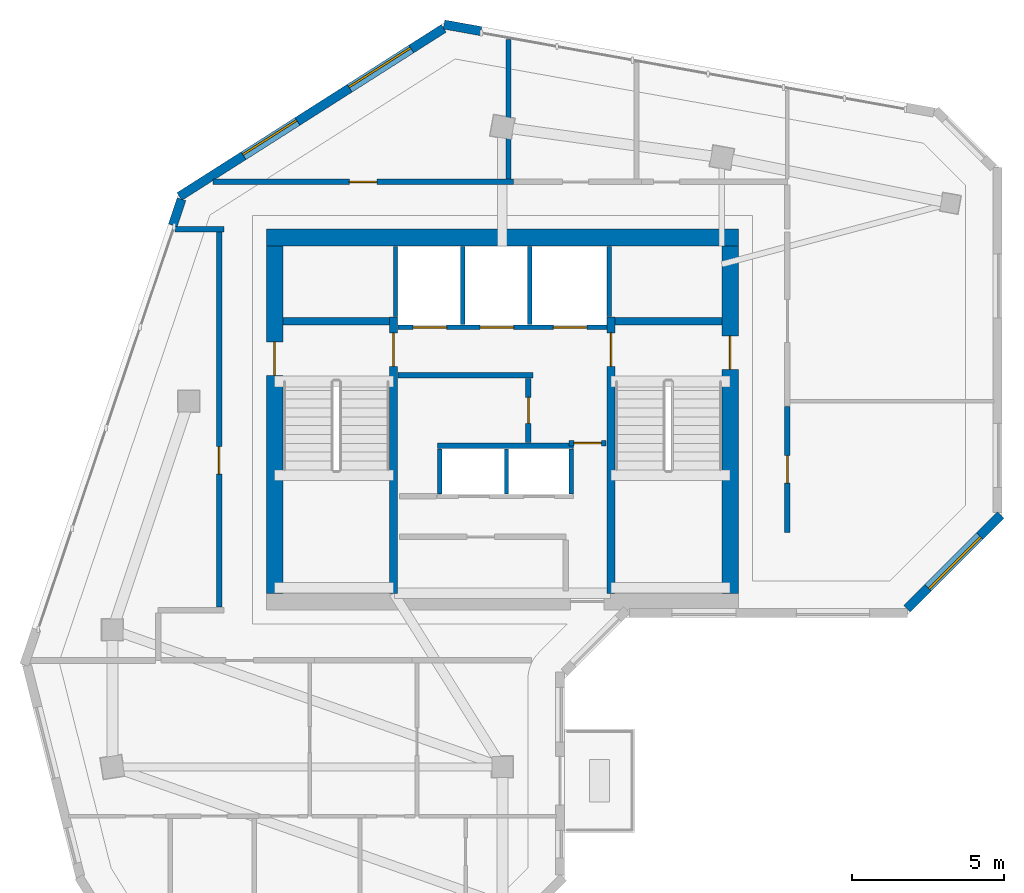
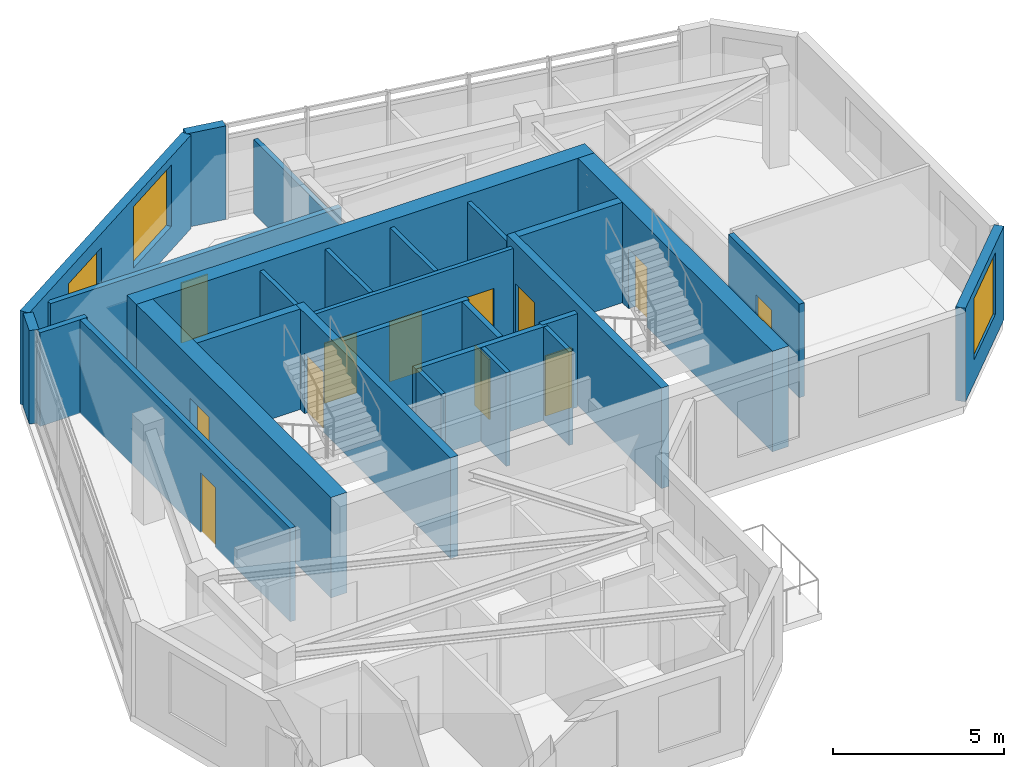
# One storey, part 4 of 7: 28 walls, 12 doors, 3 windows, 15 openings.
"""IFC4 building model written with IfcOpenShell, lengths in metres."""

from ifc_helpers import new_model, si_unit, direction, frame, frame_2d, origin, place, context, subcontext, project, spatial, rectangle, extrude, source, transform, mapped, material, layer, layer_set, type_object, element, fill, save


model = new_model("IFC4")

# Units and contexts
model_context = context("Model", 3, precision=1e-05, world=origin(), true_north=direction((0.0, 1.0)))
body_context = subcontext(model_context, "Body", "Model", "MODEL_VIEW")
ifc_project = project(units=[si_unit("LENGTHUNIT", "METRE"), si_unit("AREAUNIT", "SQUARE_METRE"), si_unit("VOLUMEUNIT", "CUBIC_METRE"), si_unit("PLANEANGLEUNIT", "RADIAN"), si_unit("MASSUNIT", "GRAM", prefix="KILO")], contexts=[model_context])

# Site, building, storey
site_placement = place(None, origin())
site = spatial("IfcSite", under=ifc_project, at=site_placement, CompositionType="ELEMENT")
building_placement = place(site_placement, origin())
building = spatial("IfcBuilding", under=site, at=building_placement, Name="Calvemar Wedge Station Tower", CompositionType="ELEMENT")
storey_placement = place(building_placement, frame((0.0, 0.0, 285.300048828125)))
storey = spatial("IfcBuildingStorey", under=building, at=storey_placement, Name="L73", CompositionType="ELEMENT", Elevation=285.300048828125)

# Wall, opening, door
ifc_material_1 = material(Name="Concrete C50", Category="concrete")
ifc_layer_1 = layer(ifc_material_1, 0.260009765625)
ifc_layer_set_1 = layer_set([ifc_layer_1], Name="Concrete C50")
wall_type_1 = type_object("IfcWallType", Name="SW-CORE-260", PredefinedType="SHEAR", material=ifc_layer_set_1)
wall_1_placement = place(storey_placement, frame((20.22998046875, 34.199951171875, 0.0), z_axis=(0.0, 0.0, 1.0), x_axis=(0.0, 1.0, 0.0)))
wall_1 = element("IfcWall", 1, at=wall_1_placement, inside=storey, type_object=wall_type_1, Name="Storey L73 Core Shear Wall SPINE-W", PredefinedType="SHEAR", context=body_context, shape_type="SweptSolid", body=[
    extrude(rectangle(XDim=9.06005859375, YDim=0.260009765625, at=frame_2d((4.530029296875, 0.0))), origin(), (0.0, 0.0, 1.0), 3.599853515625),
])
shared_shape_1 = source(origin(), body_context, "Body", "SweptSolid", [
    extrude(rectangle(XDim=1.10009765625, YDim=2.14990234375, at=frame_2d((0.550048828125, 1.074951171875))), frame((0.0, 0.14013671875, 0.0), z_axis=(0.0, -1.0, 0.0), x_axis=(1.0, 0.0, 0.0)), (0.0, 0.0, 1.0), 0.280029296875),
])
opening_1_placement = place(wall_1_placement, frame((7.449951171875, 0.0, 0.0)))
opening_1 = element("IfcOpeningElement", 2, at=opening_1_placement, cuts=wall_1, Name="Opening FD-90", PredefinedType="OPENING", context=body_context, shape_type="MappedRepresentation", body=[
    mapped(shared_shape_1, transform((0.0, 0.0, 0.0), scale=1.0)),
])
ifc_material_2 = material(Name="Galvanized fire-rated steel door leaf P-90", Category="steel")
door_type_1 = type_object("IfcDoorType", Name="DR-FD90-1100", OperationType="NOTDEFINED", PredefinedType="DOOR", material=ifc_material_2)
shared_shape_2 = source(origin(), body_context, "Body", "SweptSolid", [
    extrude(rectangle(XDim=1.10009765625, YDim=2.14990234375, at=frame_2d((0.550048828125, 1.074951171875))), frame((0.0, 0.02490234375, 0.0), z_axis=(0.0, -1.0, 0.0), x_axis=(1.0, 0.0, 0.0)), (0.0, 0.0, 1.0), 0.050048828125),
])
door_1_placement = place(opening_1_placement, origin())
door_1 = element("IfcDoor", 3, at=door_1_placement, inside=storey, type_object=door_type_1, Name="L73 FF Lobby to Stair ST-C1 Door", OperationType="SINGLE_SWING_RIGHT", OverallHeight=2.14990234375, OverallWidth=1.10009765625, PredefinedType="DOOR", context=body_context, shape_type="MappedRepresentation", body=[
    mapped(shared_shape_2, transform((0.0, 0.0, 0.0), scale=1.0)),
])
fill(opening_1, door_1)

wall_2_placement = place(storey_placement, frame((27.3701171875, 34.199951171875, 0.0), z_axis=(0.0, 0.0, 1.0), x_axis=(0.0, 1.0, 0.0)))
wall_2 = element("IfcWall", 4, at=wall_2_placement, inside=storey, type_object=wall_type_1, Name="Storey L73 Core Shear Wall SPINE-E", PredefinedType="SHEAR", context=body_context, shape_type="SweptSolid", body=[
    extrude(rectangle(XDim=9.06005859375, YDim=0.260009765625, at=frame_2d((4.530029296875, 0.0))), origin(), (0.0, 0.0, 1.0), 3.599853515625),
])
opening_2_placement = place(wall_2_placement, frame((7.449951171875, 0.0, 0.0)))
opening_2 = element("IfcOpeningElement", 5, at=opening_2_placement, cuts=wall_2, Name="Opening FD-90", PredefinedType="OPENING", context=body_context, shape_type="MappedRepresentation", body=[
    mapped(shared_shape_1, transform((0.0, 0.0, 0.0), scale=1.0)),
])
door_2_placement = place(opening_2_placement, origin())
door_2 = element("IfcDoor", 6, at=door_2_placement, inside=storey, type_object=door_type_1, Name="L73 FF Lobby to Stair ST-C2 Door", OperationType="SINGLE_SWING_LEFT", OverallHeight=2.14990234375, OverallWidth=1.10009765625, PredefinedType="DOOR", context=body_context, shape_type="MappedRepresentation", body=[
    mapped(shared_shape_2, transform((0.0, 0.0, 0.0), scale=1.0)),
])
fill(opening_2, door_2)

# Walls
for number, where, z_axis, x_axis, name in (
    (7, (16.60009765625, 43.1298828125, 0.0), (0.0, 0.0, 1.0), (1.0, 0.0, 0.0), "Storey L73 Core Shear Wall STC1-N"),
    (8, (27.5, 43.1298828125, 0.0), (0.0, 0.0, 1.0), (1.0, 0.0, 0.0), "Storey L73 Core Shear Wall STC2-N"),
):
    element("IfcWall", number, at=place(storey_placement, frame(where, z_axis=z_axis, x_axis=x_axis)), inside=storey, type_object=wall_type_1, Name=name, PredefinedType="SHEAR", context=body_context, shape_type="SweptSolid", body=[
        extrude(rectangle(XDim=3.5, YDim=0.260009765625, at=frame_2d((1.75, 0.0))), origin(), (0.0, 0.0, 1.0), 3.599853515625),
    ])
ifc_material_3 = material(Name="Concrete C60", Category="concrete")
ifc_layer_2 = layer(ifc_material_3, 0.550048828125)
ifc_layer_set_2 = layer_set([ifc_layer_2], Name="Concrete C60")
wall_type_2 = type_object("IfcWallType", Name="SW-CORE-550", PredefinedType="SHEAR", material=ifc_layer_set_2)
wall_3_placement = place(storey_placement, frame((16.050048828125, 45.875, 0.0), z_axis=(0.0, 0.0, 1.0), x_axis=(1.0, 0.0, 0.0)))
element("IfcWall", 9, at=wall_3_placement, inside=storey, type_object=wall_type_2, Name="Storey L73 Core Shear Wall N", PredefinedType="SHEAR", context=body_context, shape_type="SweptSolid", body=[
    extrude(rectangle(XDim=15.5, YDim=0.550048828125, at=frame_2d((7.75, 0.0))), origin(), (0.0, 0.0, 1.0), 3.599853515625),
])

# Wall, opening, door
wall_4_placement = place(storey_placement, frame((16.324951171875, 34.199951171875, 0.0), z_axis=(0.0, 0.0, 1.0), x_axis=(0.0, 1.0, 0.0)))
wall_4 = element("IfcWall", 10, at=wall_4_placement, inside=storey, type_object=wall_type_2, Name="Storey L73 Core Shear Wall W", PredefinedType="SHEAR", context=body_context, shape_type="SweptSolid", body=[
    extrude(rectangle(XDim=11.400146484375, YDim=0.550048828125, at=frame_2d((5.7001953125, 0.0))), origin(), (0.0, 0.0, 1.0), 3.599853515625),
])
shared_shape_3 = source(origin(), body_context, "Body", "SweptSolid", [
    extrude(rectangle(XDim=1.10009765625, YDim=2.14990234375, at=frame_2d((0.550048828125, 1.074951171875))), frame((0.0, 0.28515625, 0.0), z_axis=(0.0, -1.0, 0.0), x_axis=(1.0, 0.0, 0.0)), (0.0, 0.0, 1.0), 0.570068359375),
])
opening_3_placement = place(wall_4_placement, frame((7.14990234375, 0.0, 0.0)))
opening_3 = element("IfcOpeningElement", 11, at=opening_3_placement, cuts=wall_4, Name="Opening FD-90", PredefinedType="OPENING", context=body_context, shape_type="MappedRepresentation", body=[
    mapped(shared_shape_3, transform((0.0, 0.0, 0.0), scale=1.0)),
])
door_3_placement = place(opening_3_placement, origin())
door_3 = element("IfcDoor", 12, at=door_3_placement, inside=storey, type_object=door_type_1, Name="L73 West Corridor to Exit Stair ST-C1 Door", OperationType="SINGLE_SWING_RIGHT", OverallHeight=2.14990234375, OverallWidth=1.10009765625, PredefinedType="DOOR", context=body_context, shape_type="MappedRepresentation", body=[
    mapped(shared_shape_2, transform((0.0, 0.0, 0.0), scale=1.0)),
])
fill(opening_3, door_3)

wall_5_placement = place(storey_placement, frame((31.27490234375, 34.199951171875, 0.0), z_axis=(0.0, 0.0, 1.0), x_axis=(0.0, 1.0, 0.0)))
wall_5 = element("IfcWall", 13, at=wall_5_placement, inside=storey, type_object=wall_type_2, Name="Storey L73 Core Shear Wall E", PredefinedType="SHEAR", context=body_context, shape_type="SweptSolid", body=[
    extrude(rectangle(XDim=11.400146484375, YDim=0.550048828125, at=frame_2d((5.7001953125, 0.0))), origin(), (0.0, 0.0, 1.0), 3.599853515625),
])
opening_4_placement = place(wall_5_placement, frame((7.35009765625, 0.0, 0.0)))
opening_4 = element("IfcOpeningElement", 14, at=opening_4_placement, cuts=wall_5, Name="Opening FD-90", PredefinedType="OPENING", context=body_context, shape_type="MappedRepresentation", body=[
    mapped(shared_shape_3, transform((0.0, 0.0, 0.0), scale=1.0)),
])
door_4_placement = place(opening_4_placement, origin())
door_4 = element("IfcDoor", 15, at=door_4_placement, inside=storey, type_object=door_type_1, Name="L73 East Corridor to Exit Stair ST-C2 Door", OperationType="SINGLE_SWING_LEFT", OverallHeight=2.14990234375, OverallWidth=1.10009765625, PredefinedType="DOOR", context=body_context, shape_type="MappedRepresentation", body=[
    mapped(shared_shape_2, transform((0.0, 0.0, 0.0), scale=1.0)),
])
fill(opening_4, door_4)

# Wall
ifc_material_4 = material(Name="Double-stud fire-rated corridor partition")
ifc_layer_3 = layer(ifc_material_4, 0.179931640625)
ifc_layer_set_3 = layer_set([ifc_layer_3], Name="Double-stud fire-rated corridor partition")
wall_type_3 = type_object("IfcWallType", Name="W-CORR-180", PredefinedType="PARTITIONING", material=ifc_layer_set_3)
wall_6_placement = place(storey_placement, frame((24.81005859375, 41.35009765625, 0.0), z_axis=(0.0, 0.0, 1.0), x_axis=(-1.0, 0.0, 0.0)))
element("IfcWall", 16, at=wall_6_placement, inside=storey, type_object=wall_type_3, Name="Storey L73 Interior Partition WL-L73-001", PredefinedType="PARTITIONING", context=body_context, shape_type="SweptSolid", body=[
    extrude(rectangle(XDim=4.43017578125, YDim=0.179931640625, at=frame_2d((2.215087890625, 0.0))), origin(), (0.0, 0.0, 1.0), 3.349853515625),
])

# Wall, opening, door
wall_7_placement = place(storey_placement, frame((24.64990234375, 41.256103515625, 0.0), z_axis=(0.0, 0.0, 1.0), x_axis=(0.0, -1.0, 0.0)))
wall_7 = element("IfcWall", 17, at=wall_7_placement, inside=storey, type_object=wall_type_3, Name="Storey L73 Interior Partition WL-L73-002", PredefinedType="PARTITIONING", context=body_context, shape_type="SweptSolid", body=[
    extrude(rectangle(XDim=2.106201171875, YDim=0.179931640625, at=frame_2d((1.05322265625, 0.0))), origin(), (0.0, 0.0, 1.0), 3.349853515625),
])
shared_shape_4 = source(origin(), body_context, "Body", "SweptSolid", [
    extrude(rectangle(XDim=0.85009765625, YDim=2.14990234375, at=frame_2d((0.425048828125, 1.074951171875))), frame((0.0, 0.10009765625, 0.0), z_axis=(0.0, -1.0, 0.0), x_axis=(1.0, 0.0, 0.0)), (0.0, 0.0, 1.0), 0.199951171875),
])
opening_5_placement = place(wall_7_placement, frame((0.6279296875, 0.0, 0.0)))
opening_5 = element("IfcOpeningElement", 18, at=opening_5_placement, cuts=wall_7, Name="Opening FD-60S", PredefinedType="OPENING", context=body_context, shape_type="MappedRepresentation", body=[
    mapped(shared_shape_4, transform((0.0, 0.0, 0.0), scale=1.0)),
])
ifc_material_5 = material(Name="Fire-rated steel and hardwood service door EI 60", Category="steel")
door_type_2 = type_object("IfcDoorType", Name="DR-CORE-FD60-850", OperationType="NOTDEFINED", PredefinedType="DOOR", material=ifc_material_5)
shared_shape_5 = source(origin(), body_context, "Body", "SweptSolid", [
    extrude(rectangle(XDim=0.85009765625, YDim=2.14990234375, at=frame_2d((0.425048828125, 1.074951171875))), frame((0.0, 0.02490234375, 0.0), z_axis=(0.0, -1.0, 0.0), x_axis=(1.0, 0.0, 0.0)), (0.0, 0.0, 1.0), 0.050048828125),
])
door_5_placement = place(opening_5_placement, origin())
door_5 = element("IfcDoor", 19, at=door_5_placement, inside=storey, type_object=door_type_2, Name="L73 Cleaner and Linen Store Door", OperationType="SINGLE_SWING_LEFT", OverallHeight=2.14990234375, OverallWidth=0.85009765625, PredefinedType="DOOR", context=body_context, shape_type="MappedRepresentation", body=[
    mapped(shared_shape_5, transform((0.0, 0.0, 0.0), scale=1.0)),
])
fill(opening_5, door_5)

wall_8_placement = place(storey_placement, frame((27.199951171875, 39.1298828125, 0.0), z_axis=(0.0, 0.0, 1.0), x_axis=(-1.0, 0.0, 0.0)))
wall_8 = element("IfcWall", 20, at=wall_8_placement, inside=storey, type_object=wall_type_3, Name="Storey L73 Interior Partition WL-L73-004", PredefinedType="PARTITIONING", context=body_context, shape_type="SweptSolid", body=[
    extrude(rectangle(XDim=1.2099609375, YDim=0.179931640625, at=frame_2d((0.60498046875, 0.0))), origin(), (0.0, 0.0, 1.0), 3.349853515625),
])
shared_shape_6 = source(origin(), body_context, "Body", "SweptSolid", [
    extrude(rectangle(XDim=0.89990234375, YDim=2.14990234375, at=frame_2d((0.449951171875, 1.074951171875))), frame((0.0, 0.10009765625, 0.0), z_axis=(0.0, -1.0, 0.0), x_axis=(1.0, 0.0, 0.0)), (0.0, 0.0, 1.0), 0.199951171875),
])
opening_6_placement = place(wall_8_placement, frame((0.155029296875, 0.0, 0.0)))
opening_6 = element("IfcOpeningElement", 21, at=opening_6_placement, cuts=wall_8, Name="Opening FD-60", PredefinedType="OPENING", context=body_context, shape_type="MappedRepresentation", body=[
    mapped(shared_shape_6, transform((0.0, 0.0, 0.0), scale=1.0)),
])
ifc_material_6 = material(Name="Fire-rated acoustic timber-core entrance door EI 60", Category="wood")
door_type_3 = type_object("IfcDoorType", Name="DR-FD60-900", OperationType="NOTDEFINED", PredefinedType="DOOR", material=ifc_material_6)
shared_shape_7 = source(origin(), body_context, "Body", "SweptSolid", [
    extrude(rectangle(XDim=0.89990234375, YDim=2.14990234375, at=frame_2d((0.449951171875, 1.074951171875))), frame((0.0, 0.02490234375, 0.0), z_axis=(0.0, -1.0, 0.0), x_axis=(1.0, 0.0, 0.0)), (0.0, 0.0, 1.0), 0.050048828125),
])
door_6_placement = place(opening_6_placement, origin())
door_6 = element("IfcDoor", 22, at=door_6_placement, inside=storey, type_object=door_type_3, Name="L73 Core Service Lobby Door", OperationType="SINGLE_SWING_RIGHT", OverallHeight=2.14990234375, OverallWidth=0.89990234375, PredefinedType="DOOR", context=body_context, shape_type="MappedRepresentation", body=[
    mapped(shared_shape_7, transform((0.0, 0.0, 0.0), scale=1.0)),
])
fill(opening_6, door_6)

wall_9_placement = place(storey_placement, frame((14.5, 33.743896484375, 0.0), z_axis=(0.0, 0.0, 1.0), x_axis=(0.0, 1.0, 0.0)))
wall_9 = element("IfcWall", 23, at=wall_9_placement, inside=storey, type_object=wall_type_3, Name="Storey L73 Interior Partition WL-L73-012", PredefinedType="PARTITIONING", context=body_context, shape_type="SweptSolid", body=[
    extrude(rectangle(XDim=12.406005859375, YDim=0.179931640625, at=frame_2d((6.203125, 0.0))), origin(), (0.0, 0.0, 1.0), 3.349853515625),
])
opening_7_placement = place(wall_9_placement, frame((4.36962890625, 0.0, 0.0)))
opening_7 = element("IfcOpeningElement", 24, at=opening_7_placement, cuts=wall_9, Name="Opening D-01", PredefinedType="OPENING", context=body_context, shape_type="MappedRepresentation", body=[
    mapped(shared_shape_6, transform((0.0, 0.0, 0.0), scale=1.0)),
])
ifc_material_7 = material(Name="Architectural hardwood acoustic swing door", Category="wood")
door_type_4 = type_object("IfcDoorType", Name="DR-INT-900", OperationType="NOTDEFINED", PredefinedType="DOOR", material=ifc_material_7)
shared_shape_8 = source(origin(), body_context, "Body", "SweptSolid", [
    extrude(rectangle(XDim=0.89990234375, YDim=2.14990234375, at=frame_2d((0.449951171875, 1.074951171875))), frame((0.0, 0.02490234375, 0.0), z_axis=(0.0, -1.0, 0.0), x_axis=(1.0, 0.0, 0.0)), (0.0, 0.0, 1.0), 0.050048828125),
])
door_7_placement = place(opening_7_placement, origin())
door_7 = element("IfcDoor", 25, at=door_7_placement, inside=storey, type_object=door_type_4, Name="L73 Resident Reading Lounge Door", OperationType="SINGLE_SWING_RIGHT", OverallHeight=2.14990234375, OverallWidth=0.89990234375, PredefinedType="DOOR", context=body_context, shape_type="MappedRepresentation", body=[
    mapped(shared_shape_8, transform((0.0, 0.0, 0.0), scale=1.0)),
])
fill(opening_7, door_7)

# Wall
wall_10_placement = place(storey_placement, frame((14.659912109375, 46.14990234375, 0.0), z_axis=(0.0, 0.0, 1.0), x_axis=(-1.0, 0.0, 0.0)))
element("IfcWall", 26, at=wall_10_placement, inside=storey, type_object=wall_type_3, Name="Storey L73 Interior Partition WL-L73-013", PredefinedType="PARTITIONING", context=body_context, shape_type="SweptSolid", body=[
    extrude(rectangle(XDim=1.602294921875, YDim=0.179931640625, at=frame_2d((0.80126953125, 0.0))), origin(), (0.0, 0.0, 1.0), 3.349853515625),
])

# Wall, opening, door
wall_11_placement = place(storey_placement, frame((14.29541015625, 47.699951171875, 0.0), z_axis=(0.0, 0.0, 1.0), x_axis=(1.0, 0.0, 0.0)))
wall_11 = element("IfcWall", 27, at=wall_11_placement, inside=storey, type_object=wall_type_3, Name="Storey L73 Interior Partition WL-L73-014", PredefinedType="PARTITIONING", context=body_context, shape_type="SweptSolid", body=[
    extrude(rectangle(XDim=9.864501953125, YDim=0.179931640625, at=frame_2d((4.93212890625, 0.0))), origin(), (0.0, 0.0, 1.0), 3.01904296875),
])
opening_8_placement = place(wall_11_placement, frame((4.482421875, 0.0, 0.0)))
opening_8 = element("IfcOpeningElement", 28, at=opening_8_placement, cuts=wall_11, Name="Opening D-01", PredefinedType="OPENING", context=body_context, shape_type="MappedRepresentation", body=[
    mapped(shared_shape_6, transform((0.0, 0.0, 0.0), scale=1.0)),
])
door_8_placement = place(opening_8_placement, origin())
door_8 = element("IfcDoor", 29, at=door_8_placement, inside=storey, type_object=door_type_4, Name="L73 Summit Pantry Door", OperationType="SINGLE_SWING_LEFT", OverallHeight=2.14990234375, OverallWidth=0.89990234375, PredefinedType="DOOR", context=body_context, shape_type="MappedRepresentation", body=[
    mapped(shared_shape_8, transform((0.0, 0.0, 0.0), scale=1.0)),
])
fill(opening_8, door_8)

wall_12_placement = place(storey_placement, frame((33.14990234375, 40.337890625, 0.0), z_axis=(0.0, 0.0, 1.0), x_axis=(0.0, -1.0, 0.0)))
wall_12 = element("IfcWall", 30, at=wall_12_placement, inside=storey, type_object=wall_type_3, Name="Storey L73 Interior Partition WL-L73-019", PredefinedType="PARTITIONING", context=body_context, shape_type="SweptSolid", body=[
    extrude(rectangle(XDim=4.137939453125, YDim=0.179931640625, at=frame_2d((2.06884765625, 0.0))), origin(), (0.0, 0.0, 1.0), 3.349853515625),
])
opening_9_placement = place(wall_12_placement, frame((1.618896484375, 0.0, 0.0)))
opening_9 = element("IfcOpeningElement", 31, at=opening_9_placement, cuts=wall_12, Name="Opening D-01", PredefinedType="OPENING", context=body_context, shape_type="MappedRepresentation", body=[
    mapped(shared_shape_6, transform((0.0, 0.0, 0.0), scale=1.0)),
])
door_9_placement = place(opening_9_placement, origin())
door_9 = element("IfcDoor", 32, at=door_9_placement, inside=storey, type_object=door_type_4, Name="L73 Executive Boardroom Door", OperationType="SINGLE_SWING_LEFT", OverallHeight=2.14990234375, OverallWidth=0.89990234375, PredefinedType="DOOR", context=body_context, shape_type="MappedRepresentation", body=[
    mapped(shared_shape_8, transform((0.0, 0.0, 0.0), scale=1.0)),
])
fill(opening_9, door_9)

# Wall, opening, window
ifc_material_8 = material(Name="Precast concrete C45", Category="concrete")
ifc_layer_4 = layer(ifc_material_8, 0.300048828125)
ifc_layer_set_4 = layer_set([ifc_layer_4], Name="Precast concrete C45")
wall_type_4 = type_object("IfcWallType", Name="W-EXT-GFRC-300", PredefinedType="SOLIDWALL", material=ifc_layer_set_4)
wall_13_placement = place(storey_placement, frame((37.075927734375, 33.68798828125, 0.0), z_axis=(0.0, 0.0, 1.0), x_axis=(0.707078757535, 0.707134803727, 0.0)))
wall_13 = element("IfcWall", 33, at=wall_13_placement, inside=storey, type_object=wall_type_4, Name="Storey L73 Bronze GFRC Exterior Wall 7", PredefinedType="SOLIDWALL", context=body_context, shape_type="SweptSolid", body=[
    extrude(rectangle(XDim=4.35595703125, YDim=0.300048828125, at=frame_2d((2.177978515625, 0.0))), origin(), (0.0, 0.0, 1.0), 3.349853515625),
])
shared_shape_9 = source(origin(), body_context, "Body", "SweptSolid", [
    extrude(rectangle(XDim=2.39990234375, YDim=2.199951171875, at=frame_2d((1.199951171875, 1.10009765625))), frame((0.0, 0.16015625, 0.0), z_axis=(0.0, -1.0, 0.0), x_axis=(1.0, 0.0, 0.0)), (0.0, 0.0, 1.0), 0.320068359375),
])
opening_10_placement = place(wall_13_placement, frame((0.97802734375, 0.0, 0.85009765625)))
opening_10 = element("IfcOpeningElement", 34, at=opening_10_placement, cuts=wall_13, Name="Opening W1", PredefinedType="OPENING", context=body_context, shape_type="MappedRepresentation", body=[
    mapped(shared_shape_9, transform((0.0, 0.0, 0.0), scale=1.0)),
])
ifc_material_9 = material(Name="Low-E laminated insulated glass", Category="glass")
window_type_1 = type_object("IfcWindowType", Name="WIN-EXT-1", PartitioningType="SINGLE_PANEL", PredefinedType="WINDOW", material=ifc_material_9)
shared_shape_10 = source(origin(), body_context, "Body", "SweptSolid", [
    extrude(rectangle(XDim=2.39990234375, YDim=2.199951171875, at=frame_2d((1.199951171875, 1.10009765625))), frame((0.0, -0.014892578125, 0.0), z_axis=(0.0, -1.0, 0.0), x_axis=(1.0, 0.0, 0.0)), (0.0, 0.0, 1.0), 0.06005859375),
])
window_1_placement = place(opening_10_placement, origin())
window_1 = element("IfcWindow", 35, at=window_1_placement, inside=storey, type_object=window_type_1, Name="Storey L73 Recessed Window 7.1", OverallHeight=2.199951171875, OverallWidth=2.39990234375, PartitioningType="SINGLE_PANEL", PredefinedType="WINDOW", context=body_context, shape_type="MappedRepresentation", body=[
    mapped(shared_shape_10, transform((0.0, 0.0, 0.0), scale=1.0)),
])
fill(opening_10, window_1)

# Wall
wall_14_placement = place(storey_placement, frame((23.093994140625, 52.65087890625, 0.0), z_axis=(0.0, 0.0, 1.0), x_axis=(-0.984233125072, 0.176876102146, 0.0)))
element("IfcWall", 36, at=wall_14_placement, inside=storey, type_object=wall_type_4, Name="Storey L73 Bronze GFRC Corner Pier 10B", PredefinedType="SOLIDWALL", context=body_context, shape_type="SweptSolid", body=[
    extrude(rectangle(XDim=1.229736328125, YDim=0.300048828125, at=frame_2d((0.61474609375, 0.0))), origin(), (0.0, 0.0, 1.0), 3.349853515625),
])

# Wall, openings, windows
wall_15_placement = place(storey_placement, frame((21.872802734375, 52.7412109375, 0.0), z_axis=(0.0, 0.0, 1.0), x_axis=(-0.843661487732, -0.536875492193, 0.0)))
wall_15 = element("IfcWall", 37, at=wall_15_placement, inside=storey, type_object=wall_type_4, Name="Storey L73 Bronze GFRC Exterior Wall 11", PredefinedType="SOLIDWALL", context=body_context, shape_type="SweptSolid", body=[
    extrude(rectangle(XDim=10.28173828125, YDim=0.300048828125, at=frame_2d((5.140869140625, 0.0))), origin(), (0.0, 0.0, 1.0), 3.349853515625),
])
opening_11_placement = place(wall_15_placement, frame((1.260009765625, 0.0, 0.85009765625)))
opening_11 = element("IfcOpeningElement", 38, at=opening_11_placement, cuts=wall_15, Name="Opening W1", PredefinedType="OPENING", context=body_context, shape_type="MappedRepresentation", body=[
    mapped(shared_shape_9, transform((0.0, 0.0, 0.0), scale=1.0)),
])
shared_shape_11 = source(origin(), body_context, "Body", "SweptSolid", [
    extrude(rectangle(XDim=2.10009765625, YDim=2.0, at=frame_2d((1.050048828125, 1.0))), frame((0.0, 0.16015625, 0.0), z_axis=(0.0, -1.0, 0.0), x_axis=(1.0, 0.0, 0.0)), (0.0, 0.0, 1.0), 0.320068359375),
])
opening_12_placement = place(wall_15_placement, frame((5.68896484375, 0.0, 0.85009765625)))
opening_12 = element("IfcOpeningElement", 39, at=opening_12_placement, cuts=wall_15, Name="Opening W4", PredefinedType="OPENING", context=body_context, shape_type="MappedRepresentation", body=[
    mapped(shared_shape_11, transform((0.0, 0.0, 0.0), scale=1.0)),
])
window_type_2 = type_object("IfcWindowType", Name="WIN-EXT-4", PartitioningType="SINGLE_PANEL", PredefinedType="WINDOW", material=ifc_material_9)
shared_shape_12 = source(origin(), body_context, "Body", "SweptSolid", [
    extrude(rectangle(XDim=2.10009765625, YDim=2.0, at=frame_2d((1.050048828125, 1.0))), frame((0.0, -0.014892578125, 0.0), z_axis=(0.0, -1.0, 0.0), x_axis=(1.0, 0.0, 0.0)), (0.0, 0.0, 1.0), 0.06005859375),
])
window_2_placement = place(opening_12_placement, origin())
window_2 = element("IfcWindow", 40, at=window_2_placement, inside=storey, type_object=window_type_2, Name="Storey L73 Recessed Window 11.2", OverallHeight=2.0, OverallWidth=2.10009765625, PartitioningType="SINGLE_PANEL", PredefinedType="WINDOW", context=body_context, shape_type="MappedRepresentation", body=[
    mapped(shared_shape_12, transform((0.0, 0.0, 0.0), scale=1.0)),
])
fill(opening_12, window_2)
window_3_placement = place(opening_11_placement, origin())
window_3 = element("IfcWindow", 41, at=window_3_placement, inside=storey, type_object=window_type_1, Name="Storey L73 Recessed Window 11.1", OverallHeight=2.199951171875, OverallWidth=2.39990234375, PartitioningType="SINGLE_PANEL", PredefinedType="WINDOW", context=body_context, shape_type="MappedRepresentation", body=[
    mapped(shared_shape_10, transform((0.0, 0.0, 0.0), scale=1.0)),
])
fill(opening_11, window_3)

# Wall
wall_16_placement = place(storey_placement, frame((13.2685546875, 47.1337890625, 0.0), z_axis=(0.0, 0.0, 1.0), x_axis=(-0.31995770778, -0.947431826166, 0.0)))
element("IfcWall", 42, at=wall_16_placement, inside=storey, type_object=wall_type_4, Name="Storey L73 Bronze GFRC Corner Pier 12A", PredefinedType="SOLIDWALL", context=body_context, shape_type="SweptSolid", body=[
    extrude(rectangle(XDim=0.902587890625, YDim=0.300048828125, at=frame_2d((0.451171875, 0.0))), origin(), (0.0, 0.0, 1.0), 3.349853515625),
])

# Wall, openings, doors
ifc_material_10 = material(Name="Reinforced concrete blockwork lift shaft wall", Category="masonry")
ifc_layer_5 = layer(ifc_material_10, 0.139892578125)
ifc_layer_set_5 = layer_set([ifc_layer_5], Name="Reinforced concrete blockwork lift shaft wall")
wall_type_5 = type_object("IfcWallType", Name="W-LIFT-160", PredefinedType="SOLIDWALL", material=ifc_layer_set_5)
wall_17_placement = place(storey_placement, frame((20.3701171875, 42.929931640625, 0.0), z_axis=(0.0, 0.0, 1.0), x_axis=(1.0, 0.0, 0.0)))
wall_17 = element("IfcWall", 43, at=wall_17_placement, inside=storey, type_object=wall_type_5, Name="Storey L73 Firefighting and Service Lift Shaft Front Wall", PredefinedType="SOLIDWALL", context=body_context, shape_type="SweptSolid", body=[
    extrude(rectangle(XDim=6.85986328125, YDim=0.139892578125, at=frame_2d((3.429931640625, 0.0))), origin(), (0.0, 0.0, 1.0), 3.349853515625),
])
shared_shape_13 = source(origin(), body_context, "Body", "SweptSolid", [
    extrude(rectangle(XDim=1.10009765625, YDim=2.14990234375, at=frame_2d((0.550048828125, 1.074951171875))), frame((0.0, 0.080078125, 0.0), z_axis=(0.0, -1.0, 0.0), x_axis=(1.0, 0.0, 0.0)), (0.0, 0.0, 1.0), 0.159912109375),
])
opening_13_placement = place(wall_17_placement, frame((0.5, 0.0, 0.0)))
opening_13 = element("IfcOpeningElement", 44, at=opening_13_placement, cuts=wall_17, Name="Opening LD-FF", PredefinedType="OPENING", context=body_context, shape_type="MappedRepresentation", body=[
    mapped(shared_shape_13, transform((0.0, 0.0, 0.0), scale=1.0)),
])
opening_14_placement = place(wall_17_placement, frame((2.699951171875, 0.0, 0.0)))
opening_14 = element("IfcOpeningElement", 45, at=opening_14_placement, cuts=wall_17, Name="Opening LD-FF", PredefinedType="OPENING", context=body_context, shape_type="MappedRepresentation", body=[
    mapped(shared_shape_13, transform((0.0, 0.0, 0.0), scale=1.0)),
])
opening_15_placement = place(wall_17_placement, frame((5.10009765625, 0.0, 0.0)))
opening_15 = element("IfcOpeningElement", 46, at=opening_15_placement, cuts=wall_17, Name="Opening LD-STN", PredefinedType="OPENING", context=body_context, shape_type="MappedRepresentation", body=[
    mapped(shared_shape_13, transform((0.0, 0.0, 0.0), scale=1.0)),
])
ifc_material_11 = material(Name="Stainless steel firefighting lift sliding landing door", Category="steel")
door_type_5 = type_object("IfcDoorType", Name="DR-LD-FF-1100", OperationType="SLIDING_TO_LEFT", PredefinedType="DOOR", material=ifc_material_11)
shared_shape_14 = source(origin(), body_context, "Body", "SweptSolid", [
    extrude(rectangle(XDim=1.10009765625, YDim=2.14990234375, at=frame_2d((0.550048828125, 1.074951171875))), frame((0.0, 0.02490234375, 0.0), z_axis=(0.0, -1.0, 0.0), x_axis=(1.0, 0.0, 0.0)), (0.0, 0.0, 1.0), 0.050048828125),
])
door_10_placement = place(opening_13_placement, origin())
door_10 = element("IfcDoor", 47, at=door_10_placement, inside=storey, type_object=door_type_5, Name="L73 Lift FF-01 Sliding Landing Door", OperationType="SLIDING_TO_LEFT", OverallHeight=2.14990234375, OverallWidth=1.10009765625, PredefinedType="DOOR", context=body_context, shape_type="MappedRepresentation", body=[
    mapped(shared_shape_14, transform((0.0, 0.0, 0.0), scale=1.0)),
])
fill(opening_13, door_10)
door_11_placement = place(opening_14_placement, origin())
door_11 = element("IfcDoor", 48, at=door_11_placement, inside=storey, type_object=door_type_5, Name="L73 Lift FF-02 Sliding Landing Door", OperationType="SLIDING_TO_RIGHT", OverallHeight=2.14990234375, OverallWidth=1.10009765625, PredefinedType="DOOR", context=body_context, shape_type="MappedRepresentation", body=[
    mapped(shared_shape_14, transform((0.0, 0.0, 0.0), scale=1.0)),
])
fill(opening_14, door_11)
ifc_material_12 = material(Name="Stainless steel transit lift sliding landing door", Category="steel")
door_type_6 = type_object("IfcDoorType", Name="DR-LD-PAX-1100", OperationType="SLIDING_TO_LEFT", PredefinedType="DOOR", material=ifc_material_12)
shared_shape_15 = source(origin(), body_context, "Body", "SweptSolid", [
    extrude(rectangle(XDim=1.10009765625, YDim=2.14990234375, at=frame_2d((0.550048828125, 1.074951171875))), frame((0.0, 0.02490234375, 0.0), z_axis=(0.0, -1.0, 0.0), x_axis=(1.0, 0.0, 0.0)), (0.0, 0.0, 1.0), 0.050048828125),
])
door_12_placement = place(opening_15_placement, origin())
door_12 = element("IfcDoor", 49, at=door_12_placement, inside=storey, type_object=door_type_6, Name="L73 Lift SV-01 Sliding Landing Door", OperationType="SLIDING_TO_LEFT", OverallHeight=2.14990234375, OverallWidth=1.10009765625, PredefinedType="DOOR", context=body_context, shape_type="MappedRepresentation", body=[
    mapped(shared_shape_15, transform((0.0, 0.0, 0.0), scale=1.0)),
])
fill(opening_15, door_12)

# Walls
for number, where, z_axis, x_axis, name in (
    (50, (20.2900390625, 43.280029296875, 0.0), (0.0, 0.0, 1.0), (0.0, 1.0, 0.0), "Storey L73 Firefighting Lift Shaft Enclosure Wall W"),
    (51, (27.31005859375, 43.280029296875, 0.0), (0.0, 0.0, 1.0), (0.0, 1.0, 0.0), "Storey L73 Firefighting Lift Shaft Enclosure Wall E"),
):
    element("IfcWall", number, at=place(storey_placement, frame(where, z_axis=z_axis, x_axis=x_axis)), inside=storey, type_object=wall_type_5, Name=name, PredefinedType="SOLIDWALL", context=body_context, shape_type="SweptSolid", body=[
        extrude(rectangle(XDim=2.300048828125, YDim=0.139892578125, at=frame_2d((1.14990234375, 0.0))), origin(), (0.0, 0.0, 1.0), 3.349853515625),
    ])
for number, where, z_axis, x_axis, name in (
    (52, (22.5, 43.02001953125, 0.0), (0.0, 0.0, 1.0), (0.0, 1.0, 0.0), "Storey L73 Firefighting Lift Shaft Enclosure Wall D1"),
    (53, (24.699951171875, 43.02001953125, 0.0), (0.0, 0.0, 1.0), (0.0, 1.0, 0.0), "Storey L73 Firefighting Lift Shaft Enclosure Wall D2"),
):
    element("IfcWall", number, at=place(storey_placement, frame(where, z_axis=z_axis, x_axis=x_axis)), inside=storey, type_object=wall_type_5, Name=name, PredefinedType="SOLIDWALL", context=body_context, shape_type="SweptSolid", body=[
        extrude(rectangle(XDim=2.56005859375, YDim=0.139892578125, at=frame_2d((1.280029296875, 0.0))), origin(), (0.0, 0.0, 1.0), 3.349853515625),
    ])
for number, where, z_axis, x_axis, name in (
    (54, (26.06005859375, 37.4599609375, 0.0), (0.0, 0.0, 1.0), (0.0, 1.0, 0.0), "Storey L73 Upper Passenger Lift Shaft Wall E"),
    (55, (21.739990234375, 37.4599609375, 0.0), (0.0, 0.0, 1.0), (0.0, 1.0, 0.0), "Storey L73 Upper Passenger Lift Shaft Wall W"),
    (56, (23.93505859375, 37.4599609375, 0.0), (0.0, 0.0, 1.0), (0.0, 1.0, 0.0), "Storey L73 Upper Passenger Lift Shaft Wall D1"),
):
    element("IfcWall", number, at=place(storey_placement, frame(where, z_axis=z_axis, x_axis=x_axis)), inside=storey, type_object=wall_type_5, Name=name, PredefinedType="SOLIDWALL", context=body_context, shape_type="SweptSolid", body=[
        extrude(rectangle(XDim=1.47998046875, YDim=0.139892578125, at=frame_2d((0.739990234375, 0.0))), origin(), (0.0, 0.0, 1.0), 3.349853515625),
    ])
ifc_material_13 = material(Name="Concrete blockwork and fireboard shaft wall", Category="masonry")
ifc_layer_6 = layer(ifc_material_13, 0.199951171875)
ifc_layer_set_6 = layer_set([ifc_layer_6], Name="Concrete blockwork and fireboard shaft wall")
wall_type_6 = type_object("IfcWallType", Name="W-SHAFT-200", PredefinedType="SOLIDWALL", material=ifc_layer_set_6)
wall_18_placement = place(storey_placement, frame((21.669921875, 39.0400390625, 0.0), z_axis=(0.0, 0.0, 1.0), x_axis=(1.0, 0.0, 0.0)))
element("IfcWall", 57, at=wall_18_placement, inside=storey, type_object=wall_type_6, Name="Storey L73 Upper Passenger Lift Bank Rear Shaft Wall", PredefinedType="SOLIDWALL", context=body_context, shape_type="SweptSolid", body=[
    extrude(rectangle(XDim=4.4599609375, YDim=0.179931640625, at=frame_2d((2.22998046875, 0.0))), origin(), (0.0, 0.0, 1.0), 3.349853515625),
])
ifc_material_14 = material(Name="Moisture-resistant acoustic bathroom partition")
ifc_layer_7 = layer(ifc_material_14, 0.14990234375)
ifc_layer_set_7 = layer_set([ifc_layer_7], Name="Moisture-resistant acoustic bathroom partition")
wall_type_7 = type_object("IfcWallType", Name="W-WET-150", PredefinedType="PARTITIONING", material=ifc_layer_set_7)
wall_19_placement = place(storey_placement, frame((24.0, 52.37109375, 0.0), z_axis=(0.0, 0.0, 1.0), x_axis=(0.0, -1.0, 0.0)))
element("IfcWall", 58, at=wall_19_placement, inside=storey, type_object=wall_type_7, Name="Storey L73 Interior Partition WL-L73-021", PredefinedType="PARTITIONING", context=body_context, shape_type="SweptSolid", body=[
    extrude(rectangle(XDim=4.5771484375, YDim=0.14990234375, at=frame_2d((2.28857421875, 0.0))), origin(), (0.0, 0.0, 1.0), 2.641845703125),
])

save(model, "model.ifc")
